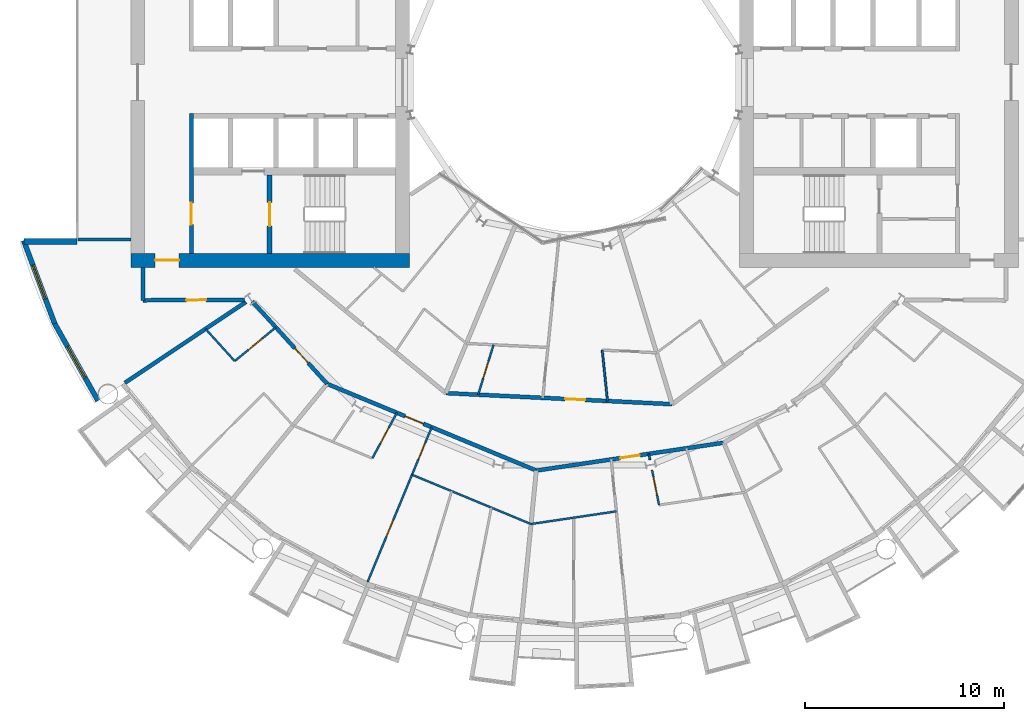
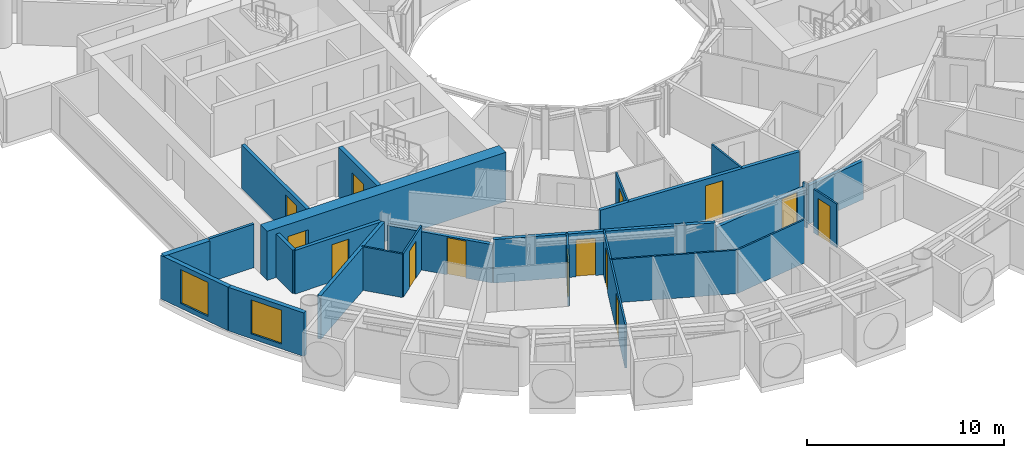
# One storey, part 14 of 26: 24 walls, 14 doors, 2 windows, 16 openings.
"""IFC4 building model written with IfcOpenShell, lengths in metres."""

import ifcopenshell
import ifcopenshell.guid

model = None  # the IFC model being written
_history = None  # IfcOwnerHistory: only IFC2X3 demands one
_inside = {}  # id of a spatial element -> (the spatial element, [elements in it])
_under = {}  # id of a project, library or spatial element -> (it, [spatial elements below it])
_declared = {}  # id of a project -> (the project, [libraries it declares])
_typed = {}  # id of a type object -> (the type object, [elements of that type])
_made_of = {}  # id of a material, layer set ... -> (it, [elements and type objects made of it])


def new_model(schema):
    """Start an empty IFC model of exactly this schema.

    Asked for "IFC4X3", IfcOpenShell would pick the latest addendum, in which some entities
    have other attributes; the version numbers below select the first issue.
    IFC2X3 requires an IfcOwnerHistory on every rooted entity: one is made here for all.
    """
    global model, _history
    if schema == "IFC4X3":
        model = ifcopenshell.file(schema_version=(4, 3, 0, 0))
    else:
        model = ifcopenshell.file(schema=schema)
    _inside.clear()
    _under.clear()
    _declared.clear()
    _typed.clear()
    _made_of.clear()
    _history = None
    if model.schema == "IFC2X3":
        org = make("IfcOrganization", Name="unknown")
        user = make(
            "IfcPersonAndOrganization",
            ThePerson=make("IfcPerson", FamilyName="unknown"),
            TheOrganization=org,
        )
        app = make(
            "IfcApplication",
            ApplicationDeveloper=org,
            Version="unknown",
            ApplicationFullName="unknown",
            ApplicationIdentifier="unknown",
        )
        _history = make(
            "IfcOwnerHistory",
            OwningUser=user,
            OwningApplication=app,
            ChangeAction="ADDED",
            CreationDate=0,
        )
    return model


def make(cls, **values):
    """One entity of the class cls with the attributes given. An attribute that is None is left unset."""
    return model.create_entity(
        cls, **{name: value for name, value in values.items() if value is not None}
    )


def rooted(cls, **values):
    """An entity with a GlobalId (a new one), such as an element, a storey or a relation."""
    return make(cls, GlobalId=ifcopenshell.guid.new(), OwnerHistory=_history, **values)


def si_unit(unit_type, name, prefix=None):
    """IfcSIUnit, for example si_unit("LENGTHUNIT", "METRE", prefix="MILLI")."""
    return make("IfcSIUnit", UnitType=unit_type, Prefix=prefix, Name=name)


def assignment(units):
    """IfcUnitAssignment: the units of a project."""
    return None if units is None else make("IfcUnitAssignment", Units=units)


def point(xyz):
    """IfcCartesianPoint."""
    return None if xyz is None else make("IfcCartesianPoint", Coordinates=xyz)


def direction(xyz):
    """IfcDirection."""
    return None if xyz is None else make("IfcDirection", DirectionRatios=xyz)


def frame(location, z_axis=None, x_axis=None):
    """IfcAxis2Placement3D, a coordinate frame: its origin and axes. An axis left out is left unset."""
    return make(
        "IfcAxis2Placement3D",
        Location=point(location),
        Axis=direction(z_axis),
        RefDirection=direction(x_axis),
    )


def frame_2d(location, x_axis=None):
    """IfcAxis2Placement2D, a coordinate frame in the plane: its origin and x axis."""
    return make(
        "IfcAxis2Placement2D", Location=point(location), RefDirection=direction(x_axis)
    )


def origin():
    """The frame at (0, 0, 0) with its axes left unset."""
    return frame((0.0, 0.0, 0.0))


def place(relative_to, where):
    """IfcLocalPlacement: puts the frame where relative to a parent placement (None: the world)."""
    return make(
        "IfcLocalPlacement", PlacementRelTo=relative_to, RelativePlacement=where
    )


def context(
    kind, dimensions, precision=None, world=None, true_north=None, identifier=None
):
    """IfcGeometricRepresentationContext, for example the 3D "Model" context."""
    return make(
        "IfcGeometricRepresentationContext",
        ContextIdentifier=identifier,
        ContextType=kind,
        CoordinateSpaceDimension=dimensions,
        Precision=precision,
        WorldCoordinateSystem=world,
        TrueNorth=true_north,
    )


def subcontext(parent, identifier, kind, view, scale=None):
    """IfcGeometricRepresentationSubContext, for example "Body" below "Model"."""
    return make(
        "IfcGeometricRepresentationSubContext",
        ContextIdentifier=identifier,
        ContextType=kind,
        ParentContext=parent,
        TargetScale=scale,
        TargetView=view,
    )


def project(units=None, contexts=None):
    """IfcProject with its units and contexts."""
    return rooted(
        "IfcProject",
        Name="project",
        RepresentationContexts=contexts,
        UnitsInContext=assignment(units),
    )


def spatial(cls, under=None, at=None, **own):
    """A site, building, storey or space (cls), placed at a placement, below another one or the project."""
    s = rooted(cls, ObjectPlacement=at, **own)
    if under is not None:
        _under.setdefault(under.id(), (under, []))[1].append(s)
    return s


def profile(cls, at=None, kind="AREA", **sizes):
    """A parametric profile (cls). Its sizes go by their IFC names, for example OverallWidth=200.0."""
    return make(cls, ProfileType=kind, Position=at, **sizes)


def rectangle(**sizes):
    """IfcRectangleProfileDef."""
    return profile("IfcRectangleProfileDef", **sizes)


def extrude(swept, where, along, depth):
    """IfcExtrudedAreaSolid: the profile swept, set in the frame where, extruded along a direction by depth."""
    return make(
        "IfcExtrudedAreaSolid",
        SweptArea=swept,
        Position=where,
        ExtrudedDirection=direction(along),
        Depth=depth,
    )


def shape(context_of_items, identifier, shape_type, items):
    """IfcShapeRepresentation: the items that make up one representation, for example the "Body"."""
    return make(
        "IfcShapeRepresentation",
        ContextOfItems=context_of_items,
        RepresentationIdentifier=identifier,
        RepresentationType=shape_type,
        Items=items,
    )


def material(Name=None, Category=None):
    """IfcMaterial."""
    return make("IfcMaterial", Name=Name, Category=Category)


def layer(
    of_material, thickness, ventilated=None, Name=None, Category=None, Priority=None
):
    """IfcMaterialLayer: one layer of a wall or slab, of a material (None: an air gap)."""
    return make(
        "IfcMaterialLayer",
        Material=of_material,
        LayerThickness=thickness,
        IsVentilated=ventilated,
        Name=Name,
        Category=Category,
        Priority=Priority,
    )


def layer_set(layers, Name=None):
    """IfcMaterialLayerSet."""
    return make("IfcMaterialLayerSet", MaterialLayers=layers, LayerSetName=Name)


def made_of(thing, what):
    """Note that an element or type object is made of a material, layer set ...; save() writes the relation."""
    if what is not None:
        _made_of.setdefault(what.id(), (what, []))[1].append(thing)
    return thing


def type_object(cls, material=None, **own):
    """A type object (cls), such as IfcWallType, which elements share."""
    return made_of(rooted(cls, **own), material)


def element(
    cls,
    number,
    at=None,
    inside=None,
    cuts=None,
    type_object=None,
    material=None,
    context=None,
    identifier="Body",
    shape_type=None,
    held_by="IfcProductDefinitionShape",
    body=None,
    shapes=None,
    **own,
):
    """One element of the class cls, such as IfcWall. Its Tag is "e" and its number.

    at: its placement. inside: the storey or other place that contains it. cuts: it is an
    opening in that element (IfcRelVoidsElement). A single representation is given by context,
    identifier, shape_type and body (its items); several are given by shapes. held_by: the class
    of the entity that holds the representations. save() writes the other relations.
    """
    e = rooted(cls, Tag="e%d" % number, ObjectPlacement=at, **own)
    if body is not None:
        shapes = [shape(context, identifier, shape_type, body)]
    if shapes is not None:
        e.Representation = make(held_by, Representations=shapes)
    if inside is not None:
        _inside.setdefault(inside.id(), (inside, []))[1].append(e)
    if cuts is not None:
        rooted(
            "IfcRelVoidsElement", RelatingBuildingElement=cuts, RelatedOpeningElement=e
        )
    if type_object is not None:
        _typed.setdefault(type_object.id(), (type_object, []))[1].append(e)
    return made_of(e, material)


def fill(opening, filler):
    """IfcRelFillsElement: the door or window that sits in an opening."""
    return rooted(
        "IfcRelFillsElement",
        RelatingOpeningElement=opening,
        RelatedBuildingElement=filler,
    )


def aggregate(whole, parts):
    """IfcRelAggregates: a whole, such as a stair, and the parts it consists of."""
    return rooted("IfcRelAggregates", RelatingObject=whole, RelatedObjects=parts)


def save(model, path):
    """Write the relations noted so far, then the file.

    IfcRelAggregates (storeys below a building ...), IfcRelContainedInSpatialStructure (elements
    in a storey), IfcRelDefinesByType, IfcRelAssociatesMaterial and IfcRelDeclares: one each for
    every whole, place, type object, material and project.
    """
    for whole, parts in _under.values():
        aggregate(whole, parts)
    for where, things in _inside.values():
        rooted(
            "IfcRelContainedInSpatialStructure",
            RelatedElements=things,
            RelatingStructure=where,
        )
    for kind, things in _typed.values():
        rooted("IfcRelDefinesByType", RelatedObjects=things, RelatingType=kind)
    for what, things in _made_of.values():
        rooted("IfcRelAssociatesMaterial", RelatedObjects=things, RelatingMaterial=what)
    for by, libraries in _declared.values():
        rooted("IfcRelDeclares", RelatingContext=by, RelatedDefinitions=libraries)
    model.write(path)


model = new_model("IFC4")

# Units and contexts
model_context = context("Model", 3, precision=1e-05, world=origin(), true_north=direction((0.0, 1.0)))
body_context = subcontext(model_context, "Body", "Model", "MODEL_VIEW")
ifc_project = project(units=[si_unit("LENGTHUNIT", "METRE"), si_unit("AREAUNIT", "SQUARE_METRE"), si_unit("VOLUMEUNIT", "CUBIC_METRE"), si_unit("PLANEANGLEUNIT", "RADIAN"), si_unit("MASSUNIT", "GRAM", prefix="KILO")], contexts=[model_context])

# Site, building, storey
site_placement = place(None, origin())
site = spatial("IfcSite", under=ifc_project, at=site_placement, CompositionType="ELEMENT")
building_placement = place(site_placement, origin())
building = spatial("IfcBuilding", under=site, at=building_placement, Name="Maasbend Ring Residences", CompositionType="ELEMENT")
storey_placement = place(building_placement, frame((0.0, 0.0, 78.85009765625)))
storey = spatial("IfcBuildingStorey", under=building, at=storey_placement, Name="L22", CompositionType="ELEMENT", Elevation=78.85009765625)

# Wall, opening, door
ifc_material_1 = material(Name="Concrete C70/85", Category="concrete")
ifc_layer_1 = layer(ifc_material_1, 0.25)
ifc_layer_set_1 = layer_set([ifc_layer_1], Name="Concrete C70/85")
wall_type_1 = type_object("IfcWallType", Name="CORE WALL 250 C70/85", PredefinedType="SHEAR", material=ifc_layer_set_1)
wall_1_placement = place(storey_placement, frame((-15.324951171875, -4.64990234375, 0.0), z_axis=(0.0, 0.0, 1.0), x_axis=(0.0, -1.0, 0.0)))
wall_1 = element("IfcWall", 1, at=wall_1_placement, inside=storey, type_object=wall_type_1, Name="L22 core W wall STEN", PredefinedType="SHEAR", context=body_context, shape_type="SweptSolid", body=[
    extrude(rectangle(XDim=3.9501953125, YDim=0.25, at=frame_2d((1.97509765625, 0.0))), origin(), (0.0, 0.0, 1.0), 3.0498046875),
])
opening_1_placement = place(wall_1_placement, frame((1.375, 0.0, 0.0)))
opening_1 = element("IfcOpeningElement", 2, at=opening_1_placement, cuts=wall_1, Name="Opening D-W2209", PredefinedType="OPENING", context=body_context, shape_type="SweptSolid", body=[
    extrude(rectangle(XDim=1.199951171875, YDim=2.300048828125, at=frame_2d((0.60009765625, 1.14990234375))), frame((0.0, 0.135009765625, 0.0), z_axis=(0.0, -1.0, 0.0), x_axis=(1.0, 0.0, 0.0)), (0.0, 0.0, 1.0), 0.27001953125),
])
ifc_material_2 = material(Name="Steel, powder coated", Category="steel")
door_type_1 = type_object("IfcDoorType", Name="STAIR DOOR 1200 X 2300 FD60", OperationType="NOTDEFINED", PredefinedType="DOOR", material=ifc_material_2)
door_1_placement = place(opening_1_placement, origin())
door_1 = element("IfcDoor", 3, at=door_1_placement, inside=storey, type_object=door_type_1, Name="Stair door ST-W L22", OperationType="SINGLE_SWING_LEFT", OverallHeight=2.300048828125, OverallWidth=1.199951171875, PredefinedType="DOOR", context=body_context, shape_type="SweptSolid", body=[
    extrude(rectangle(XDim=1.199951171875, YDim=2.300048828125, at=frame_2d((0.60009765625, 1.14990234375))), frame((0.0, 0.02490234375, 0.0), z_axis=(0.0, -1.0, 0.0), x_axis=(1.0, 0.0, 0.0)), (0.0, 0.0, 1.0), 0.050048828125),
])
fill(opening_1, door_1)

ifc_material_3 = material(Name="Concrete C70/85", Category="concrete")
ifc_layer_2 = layer(ifc_material_3, 0.699951171875)
ifc_layer_set_2 = layer_set([ifc_layer_2], Name="Concrete C70/85")
wall_type_2 = type_object("IfcWallType", Name="CORE WALL 700 C70/85", PredefinedType="SHEAR", material=ifc_layer_set_2)
wall_2_placement = place(storey_placement, frame((-22.300048828125, -8.949951171875, 0.0), z_axis=(0.0, 0.0, 1.0), x_axis=(1.0, 0.0, 0.0)))
wall_2 = element("IfcWall", 4, at=wall_2_placement, inside=storey, type_object=wall_type_2, Name="L22 core W wall PN", PredefinedType="SHEAR", context=body_context, shape_type="SweptSolid", body=[
    extrude(rectangle(XDim=14.0, YDim=0.699951171875, at=frame_2d((7.0, 0.0))), origin(), (0.0, 0.0, 1.0), 3.0498046875),
])
opening_2_placement = place(wall_2_placement, frame((1.22509765625, 0.0, 0.0)))
opening_2 = element("IfcOpeningElement", 5, at=opening_2_placement, cuts=wall_2, Name="Opening D-W2213", PredefinedType="OPENING", context=body_context, shape_type="SweptSolid", body=[
    extrude(rectangle(XDim=1.199951171875, YDim=2.300048828125, at=frame_2d((0.60009765625, 1.14990234375))), frame((0.0, 0.35986328125, 0.0), z_axis=(0.0, -1.0, 0.0), x_axis=(1.0, 0.0, 0.0)), (0.0, 0.0, 1.0), 0.719970703125),
])
ifc_material_4 = material(Name="Steel, powder coated", Category="steel")
door_type_2 = type_object("IfcDoorType", Name="CORRIDOR DOOR 1200 X 2300 FD30S", OperationType="NOTDEFINED", PredefinedType="DOOR", material=ifc_material_4)
door_2_placement = place(opening_2_placement, origin())
door_2 = element("IfcDoor", 6, at=door_2_placement, inside=storey, type_object=door_type_2, Name="Corridor door L22", OperationType="SINGLE_SWING_RIGHT", OverallHeight=2.300048828125, OverallWidth=1.199951171875, PredefinedType="DOOR", context=body_context, shape_type="SweptSolid", body=[
    extrude(rectangle(XDim=1.199951171875, YDim=2.300048828125, at=frame_2d((0.60009765625, 1.14990234375))), frame((0.0, 0.02490234375, 0.0), z_axis=(0.0, -1.0, 0.0), x_axis=(1.0, 0.0, 0.0)), (0.0, 0.0, 1.0), 0.050048828125),
])
fill(opening_2, door_2)

ifc_material_5 = material(Name="Concrete C30/37", Category="concrete")
ifc_layer_3 = layer(ifc_material_5, 0.199951171875)
ifc_layer_set_3 = layer_set([ifc_layer_3], Name="Concrete C30/37")
wall_type_3 = type_object("IfcWallType", Name="CORRIDOR WALL 200 CONCRETE", PredefinedType="PARTITIONING", material=ifc_layer_set_3)
wall_3_placement = place(storey_placement, frame((-16.193115234375, -11.00390625, 0.0), z_axis=(0.0, 0.0, 1.0), x_axis=(0.671601747072, -0.740912338492, 0.0)))
wall_3 = element("IfcWall", 7, at=wall_3_placement, inside=storey, type_object=wall_type_3, Name="U-L22-w013", PredefinedType="PARTITIONING", context=body_context, shape_type="SweptSolid", body=[
    extrude(rectangle(XDim=5.59716796875, YDim=0.199951171875, at=frame_2d((2.798583984375, 0.0))), origin(), (0.0, 0.0, 1.0), 2.3798828125),
])
opening_3_placement = place(wall_3_placement, frame((3.179931640625, 0.0, 0.0)))
opening_3 = element("IfcOpeningElement", 8, at=opening_3_placement, cuts=wall_3, Name="Opening D-2233", PredefinedType="OPENING", context=body_context, shape_type="SweptSolid", body=[
    extrude(rectangle(XDim=1.0, YDim=2.300048828125, at=frame_2d((0.5, 1.14990234375))), frame((0.0, 0.10986328125, 0.0), z_axis=(0.0, -1.0, 0.0), x_axis=(1.0, 0.0, 0.0)), (0.0, 0.0, 1.0), 0.219970703125),
])
ifc_material_6 = material(Name="Timber, fire-rated, painted", Category="wood")
door_type_3 = type_object("IfcDoorType", Name="FLAT ENTRANCE DOOR 1000 X 2300 FIRE-RATED", OperationType="NOTDEFINED", PredefinedType="DOOR", material=ifc_material_6)
door_3_placement = place(opening_3_placement, origin())
door_3 = element("IfcDoor", 9, at=door_3_placement, inside=storey, type_object=door_type_3, Name="D-2233", OperationType="SINGLE_SWING_RIGHT", OverallHeight=2.300048828125, OverallWidth=1.0, PredefinedType="DOOR", context=body_context, shape_type="SweptSolid", body=[
    extrude(rectangle(XDim=1.0, YDim=2.300048828125, at=frame_2d((0.5, 1.14990234375))), frame((0.0, 0.02490234375, 0.0), z_axis=(0.0, -1.0, 0.0), x_axis=(1.0, 0.0, 0.0)), (0.0, 0.0, 1.0), 0.050048828125),
])
fill(opening_3, door_3)

wall_4_placement = place(storey_placement, frame((-1.91796875, -19.507080078125, 0.0), z_axis=(0.0, 0.0, 1.0), x_axis=(0.989144916871, 0.146943300045, 0.0)))
wall_4 = element("IfcWall", 10, at=wall_4_placement, inside=storey, type_object=wall_type_3, Name="U-L22-w017", PredefinedType="PARTITIONING", context=body_context, shape_type="SweptSolid", body=[
    extrude(rectangle(XDim=9.528564453125, YDim=0.199951171875, at=frame_2d((4.76416015625, 0.0))), origin(), (0.0, 0.0, 1.0), 2.3798828125),
])
opening_4_placement = place(wall_4_placement, frame((4.260986328125, 0.0, 0.0)))
opening_4 = element("IfcOpeningElement", 11, at=opening_4_placement, cuts=wall_4, Name="Opening D-2243", PredefinedType="OPENING", context=body_context, shape_type="SweptSolid", body=[
    extrude(rectangle(XDim=1.0, YDim=2.300048828125, at=frame_2d((0.5, 1.14990234375))), frame((0.0, 0.10986328125, 0.0), z_axis=(0.0, -1.0, 0.0), x_axis=(1.0, 0.0, 0.0)), (0.0, 0.0, 1.0), 0.219970703125),
])
door_4_placement = place(opening_4_placement, origin())
door_4 = element("IfcDoor", 12, at=door_4_placement, inside=storey, type_object=door_type_3, Name="D-2243", OperationType="SINGLE_SWING_LEFT", OverallHeight=2.300048828125, OverallWidth=1.0, PredefinedType="DOOR", context=body_context, shape_type="SweptSolid", body=[
    extrude(rectangle(XDim=1.0, YDim=2.300048828125, at=frame_2d((0.5, 1.14990234375))), frame((0.0, 0.02490234375, 0.0), z_axis=(0.0, -1.0, 0.0), x_axis=(1.0, 0.0, 0.0)), (0.0, 0.0, 1.0), 0.050048828125),
])
fill(opening_4, door_4)

wall_5_placement = place(storey_placement, frame((-12.43603515625, -15.14990234375, 0.0), z_axis=(0.0, 0.0, 1.0), x_axis=(0.923858130651, -0.38273509694, 0.0)))
wall_5 = element("IfcWall", 13, at=wall_5_placement, inside=storey, type_object=wall_type_3, Name="U-L22-w018", PredefinedType="PARTITIONING", context=body_context, shape_type="SweptSolid", body=[
    extrude(rectangle(XDim=11.3818359375, YDim=0.199951171875, at=frame_2d((5.69091796875, 0.0))), origin(), (0.0, 0.0, 1.0), 2.699951171875),
])
opening_5_placement = place(wall_5_placement, frame((4.239013671875, 0.0, 0.0)))
opening_5 = element("IfcOpeningElement", 14, at=opening_5_placement, cuts=wall_5, Name="Opening D-2236", PredefinedType="OPENING", context=body_context, shape_type="SweptSolid", body=[
    extrude(rectangle(XDim=1.0, YDim=2.300048828125, at=frame_2d((0.5, 1.14990234375))), frame((0.0, 0.10986328125, 0.0), z_axis=(0.0, -1.0, 0.0), x_axis=(1.0, 0.0, 0.0)), (0.0, 0.0, 1.0), 0.219970703125),
])
door_5_placement = place(opening_5_placement, origin())
door_5 = element("IfcDoor", 15, at=door_5_placement, inside=storey, type_object=door_type_3, Name="D-2236", OperationType="SINGLE_SWING_LEFT", OverallHeight=2.300048828125, OverallWidth=1.0, PredefinedType="DOOR", context=body_context, shape_type="SweptSolid", body=[
    extrude(rectangle(XDim=1.0, YDim=2.300048828125, at=frame_2d((0.5, 1.14990234375))), frame((0.0, 0.02490234375, 0.0), z_axis=(0.0, -1.0, 0.0), x_axis=(1.0, 0.0, 0.0)), (0.0, 0.0, 1.0), 0.050048828125),
])
fill(opening_5, door_5)

wall_6_placement = place(storey_placement, frame((-6.464111328125, -15.615966796875, 0.0), z_axis=(0.0, 0.0, 1.0), x_axis=(0.998805876564, -0.048855101495, 0.0)))
wall_6 = element("IfcWall", 16, at=wall_6_placement, inside=storey, type_object=wall_type_3, Name="U-L22-w020", PredefinedType="PARTITIONING", context=body_context, shape_type="SweptSolid", body=[
    extrude(rectangle(XDim=11.3837890625, YDim=0.199951171875, at=frame_2d((5.69189453125, 0.0))), origin(), (0.0, 0.0, 1.0), 2.699951171875),
])
opening_6_placement = place(wall_6_placement, frame((6.00390625, 0.0, 0.0)))
opening_6 = element("IfcOpeningElement", 17, at=opening_6_placement, cuts=wall_6, Name="Opening D-2259", PredefinedType="OPENING", context=body_context, shape_type="SweptSolid", body=[
    extrude(rectangle(XDim=1.0, YDim=2.300048828125, at=frame_2d((0.5, 1.14990234375))), frame((0.0, 0.10986328125, 0.0), z_axis=(0.0, -1.0, 0.0), x_axis=(1.0, 0.0, 0.0)), (0.0, 0.0, 1.0), 0.219970703125),
])
door_6_placement = place(opening_6_placement, origin())
door_6 = element("IfcDoor", 18, at=door_6_placement, inside=storey, type_object=door_type_3, Name="D-2259", OperationType="SINGLE_SWING_RIGHT", OverallHeight=2.300048828125, OverallWidth=1.0, PredefinedType="DOOR", context=body_context, shape_type="SweptSolid", body=[
    extrude(rectangle(XDim=1.0, YDim=2.300048828125, at=frame_2d((0.5, 1.14990234375))), frame((0.0, 0.02490234375, 0.0), z_axis=(0.0, -1.0, 0.0), x_axis=(1.0, 0.0, 0.0)), (0.0, 0.0, 1.0), 0.050048828125),
])
fill(opening_6, door_6)

wall_7_placement = place(storey_placement, frame((-21.675048828125, -10.949951171875, 0.0), z_axis=(0.0, 0.0, 1.0), x_axis=(0.999987054722, 0.005088259783, 0.0)))
wall_7 = element("IfcWall", 19, at=wall_7_placement, inside=storey, type_object=wall_type_3, Name="U-L22-w028", PredefinedType="PARTITIONING", context=body_context, shape_type="SweptSolid", body=[
    extrude(rectangle(XDim=5.0859375, YDim=0.199951171875, at=frame_2d((2.54296875, 0.0))), origin(), (0.0, 0.0, 1.0), 2.699951171875),
])
opening_7_placement = place(wall_7_placement, frame((2.1630859375, 0.0, 0.0)))
opening_7 = element("IfcOpeningElement", 20, at=opening_7_placement, cuts=wall_7, Name="Opening D-2268", PredefinedType="OPENING", context=body_context, shape_type="SweptSolid", body=[
    extrude(rectangle(XDim=1.0, YDim=2.300048828125, at=frame_2d((0.5, 1.14990234375))), frame((0.0, 0.10986328125, 0.0), z_axis=(0.0, -1.0, 0.0), x_axis=(1.0, 0.0, 0.0)), (0.0, 0.0, 1.0), 0.219970703125),
])
ifc_material_7 = material(Name="Timber, painted", Category="wood")
door_type_4 = type_object("IfcDoorType", Name="ROOM DOOR 1000 X 2300", OperationType="NOTDEFINED", PredefinedType="DOOR", material=ifc_material_7)
door_7_placement = place(opening_7_placement, origin())
door_7 = element("IfcDoor", 21, at=door_7_placement, inside=storey, type_object=door_type_4, Name="D-2268", OperationType="SINGLE_SWING_RIGHT", OverallHeight=2.300048828125, OverallWidth=1.0, PredefinedType="DOOR", context=body_context, shape_type="SweptSolid", body=[
    extrude(rectangle(XDim=1.0, YDim=2.300048828125, at=frame_2d((0.5, 1.14990234375))), frame((0.0, 0.02490234375, 0.0), z_axis=(0.0, -1.0, 0.0), x_axis=(1.0, 0.0, 0.0)), (0.0, 0.0, 1.0), 0.050048828125),
])
fill(opening_7, door_7)

# Wall
wall_8_placement = place(storey_placement, frame((-21.675048828125, -10.949951171875, 0.0), z_axis=(0.0, 0.0, 1.0), x_axis=(0.0, 1.0, 0.0)))
element("IfcWall", 22, at=wall_8_placement, inside=storey, type_object=wall_type_3, Name="U-L22-w115", PredefinedType="PARTITIONING", context=body_context, shape_type="SweptSolid", body=[
    extrude(rectangle(XDim=1.64990234375, YDim=0.199951171875, at=frame_2d((0.824951171875, 0.0))), origin(), (0.0, 0.0, 1.0), 2.699951171875),
])

# Wall, opening, window
ifc_material_8 = material(Name="Aluminium clad insulated panel", Category="aluminium")
ifc_layer_4 = layer(ifc_material_8, 0.25)
ifc_layer_set_4 = layer_set([ifc_layer_4], Name="EW-HORN")
wall_type_4 = type_object("IfcWallType", Name="EW-HORN", PredefinedType="SOLIDWALL", material=ifc_layer_set_4)
wall_9_placement = place(storey_placement, frame((-27.681884765625, -7.945068359375, 0.0), z_axis=(0.0, 0.0, 1.0), x_axis=(0.349247811493, -0.937030397675, 0.0)))
wall_9 = element("IfcWall", 23, at=wall_9_placement, inside=storey, type_object=wall_type_4, Name="Horn wall 3.1", PredefinedType="SOLIDWALL", context=body_context, shape_type="SweptSolid", body=[
    extrude(rectangle(XDim=4.4521484375, YDim=0.25, at=frame_2d((2.22607421875, 0.0))), origin(), (0.0, 0.0, 1.0), 2.699951171875),
])
opening_8_placement = place(wall_9_placement, frame((1.32666015625, 0.0, 0.300048828125)))
opening_8 = element("IfcOpeningElement", 24, at=opening_8_placement, cuts=wall_9, Name="Opening W-BX", PredefinedType="OPENING", context=body_context, shape_type="SweptSolid", body=[
    extrude(rectangle(XDim=1.800048828125, YDim=2.10009765625, at=frame_2d((0.89990234375, 1.050048828125))), frame((0.0, 0.135009765625, 0.0), z_axis=(0.0, -1.0, 0.0), x_axis=(1.0, 0.0, 0.0)), (0.0, 0.0, 1.0), 0.27001953125),
])
ifc_material_9 = material(Name="Aluminium and clear glass", Category="aluminium")
window_type = type_object("IfcWindowType", Name="W-BX", PartitioningType="DOUBLE_PANEL_VERTICAL", PredefinedType="WINDOW", material=ifc_material_9)
window_1_placement = place(opening_8_placement, origin())
window_1 = element("IfcWindow", 25, at=window_1_placement, inside=storey, type_object=window_type, Name="Horn window 3.1", OverallHeight=2.10009765625, OverallWidth=1.800048828125, PartitioningType="SINGLE_PANEL", PredefinedType="WINDOW", context=body_context, shape_type="SweptSolid", body=[
    extrude(rectangle(XDim=1.800048828125, YDim=2.10009765625, at=frame_2d((0.89990234375, 1.050048828125))), frame((0.0, 0.030029296875, 0.0), z_axis=(0.0, -1.0, 0.0), x_axis=(1.0, 0.0, 0.0)), (0.0, 0.0, 1.0), 0.06005859375),
])
fill(opening_8, window_1)

wall_10_placement = place(storey_placement, frame((-26.126953125, -12.116943359375, 0.0), z_axis=(0.0, 0.0, 1.0), x_axis=(0.489696356642, -0.871893042919, 0.0)))
wall_10 = element("IfcWall", 26, at=wall_10_placement, inside=storey, type_object=wall_type_4, Name="Horn wall 3.2", PredefinedType="SOLIDWALL", context=body_context, shape_type="SweptSolid", body=[
    extrude(rectangle(XDim=4.45361328125, YDim=0.25, at=frame_2d((2.226806640625, 0.0))), origin(), (0.0, 0.0, 1.0), 2.699951171875),
])
opening_9_placement = place(wall_10_placement, frame((1.32666015625, 0.0, 0.300048828125)))
opening_9 = element("IfcOpeningElement", 27, at=opening_9_placement, cuts=wall_10, Name="Opening W-BX", PredefinedType="OPENING", context=body_context, shape_type="SweptSolid", body=[
    extrude(rectangle(XDim=1.800048828125, YDim=2.10009765625, at=frame_2d((0.89990234375, 1.050048828125))), frame((0.0, 0.135009765625, 0.0), z_axis=(0.0, -1.0, 0.0), x_axis=(1.0, 0.0, 0.0)), (0.0, 0.0, 1.0), 0.27001953125),
])
window_2_placement = place(opening_9_placement, origin())
window_2 = element("IfcWindow", 28, at=window_2_placement, inside=storey, type_object=window_type, Name="Horn window 3.2", OverallHeight=2.10009765625, OverallWidth=1.800048828125, PartitioningType="SINGLE_PANEL", PredefinedType="WINDOW", context=body_context, shape_type="SweptSolid", body=[
    extrude(rectangle(XDim=1.800048828125, YDim=2.10009765625, at=frame_2d((0.89990234375, 1.050048828125))), frame((0.0, 0.030029296875, 0.0), z_axis=(0.0, -1.0, 0.0), x_axis=(1.0, 0.0, 0.0)), (0.0, 0.0, 1.0), 0.06005859375),
])
fill(opening_9, window_2)

# Walls
ifc_material_10 = material(Name="Aluminium clad insulated panel", Category="aluminium")
ifc_layer_5 = layer(ifc_material_10, 0.300048828125)
ifc_layer_set_5 = layer_set([ifc_layer_5], Name="EW-RET")
wall_type_5 = type_object("IfcWallType", Name="EW-RET", PredefinedType="SOLIDWALL", material=ifc_layer_set_5)
wall_11_placement = place(storey_placement, frame((-25.0, -8.0, 0.0), z_axis=(0.0, 0.0, 1.0), x_axis=(-1.0, 0.0, 0.0)))
element("IfcWall", 29, at=wall_11_placement, inside=storey, type_object=wall_type_5, Name="Notch return wall west south", PredefinedType="SOLIDWALL", context=body_context, shape_type="SweptSolid", body=[
    extrude(rectangle(XDim=2.6669921875, YDim=0.300048828125, at=frame_2d((1.33349609375, 0.0))), origin(), (0.0, 0.0, 1.0), 2.699951171875),
])
ifc_material_11 = material(Name="Gypsum board on steel studs", Category="steel")
ifc_layer_6 = layer(ifc_material_11, 0.10009765625)
ifc_layer_set_6 = layer_set([ifc_layer_6], Name="PARTITION 100 GYPSUM")
wall_type_6 = type_object("IfcWallType", Name="PARTITION 100 GYPSUM", PredefinedType="PARTITIONING", material=ifc_layer_set_6)
wall_12_placement = place(storey_placement, frame((-18.5419921875, -12.388916015625, 0.0), z_axis=(0.0, 0.0, 1.0), x_axis=(0.671396556615, -0.741098282123, 0.0)))
element("IfcWall", 30, at=wall_12_placement, inside=storey, type_object=wall_type_6, Name="U-L22-w001", PredefinedType="PARTITIONING", context=body_context, shape_type="SweptSolid", body=[
    extrude(rectangle(XDim=2.18212890625, YDim=0.10009765625, at=frame_2d((1.091064453125, 0.0))), origin(), (0.0, 0.0, 1.0), 2.699951171875),
])
wall_13_placement = place(storey_placement, frame((-2.18603515625, -22.193115234375, 0.0), z_axis=(0.0, 0.0, 1.0), x_axis=(0.989171386505, 0.146765009863, 0.0)))
element("IfcWall", 31, at=wall_13_placement, inside=storey, type_object=wall_type_6, Name="U-L22-w009", PredefinedType="PARTITIONING", context=body_context, shape_type="SweptSolid", body=[
    extrude(rectangle(XDim=4.3349609375, YDim=0.10009765625, at=frame_2d((2.16748046875, 0.0))), origin(), (0.0, 0.0, 1.0), 2.699951171875),
])
wall_14_placement = place(storey_placement, frame((-8.16796875, -19.716064453125, 0.0), z_axis=(0.0, 0.0, 1.0), x_axis=(0.923791567638, -0.382895729358, 0.0)))
element("IfcWall", 32, at=wall_14_placement, inside=storey, type_object=wall_type_6, Name="U-L22-w012", PredefinedType="PARTITIONING", context=body_context, shape_type="SweptSolid", body=[
    extrude(rectangle(XDim=6.474365234375, YDim=0.10009765625, at=frame_2d((3.2373046875, 0.0))), origin(), (0.0, 0.0, 1.0), 2.699951171875),
])

# Wall, opening, door
wall_15_placement = place(storey_placement, frame((-17.076904296875, -14.006103515625, 0.0), z_axis=(0.0, 0.0, 1.0), x_axis=(0.77319617123, 0.634166918717, 0.0)))
wall_15 = element("IfcWall", 33, at=wall_15_placement, inside=storey, type_object=wall_type_6, Name="U-L22-w043", PredefinedType="PARTITIONING", context=body_context, shape_type="SweptSolid", body=[
    extrude(rectangle(XDim=2.674560546875, YDim=0.10009765625, at=frame_2d((1.33740234375, 0.0))), origin(), (0.0, 0.0, 1.0), 2.699951171875),
])
opening_10_placement = place(wall_15_placement, frame((0.886962890625, 0.0, 0.0)))
opening_10 = element("IfcOpeningElement", 34, at=opening_10_placement, cuts=wall_15, Name="Opening D-2234", PredefinedType="OPENING", context=body_context, shape_type="SweptSolid", body=[
    extrude(rectangle(XDim=0.89990234375, YDim=2.300048828125, at=frame_2d((0.449951171875, 1.14990234375))), frame((0.0, 0.06005859375, 0.0), z_axis=(0.0, -1.0, 0.0), x_axis=(1.0, 0.0, 0.0)), (0.0, 0.0, 1.0), 0.1201171875),
])
ifc_material_12 = material(Name="Timber, painted", Category="wood")
door_type_5 = type_object("IfcDoorType", Name="INTERNAL DOOR 900 X 2300", OperationType="NOTDEFINED", PredefinedType="DOOR", material=ifc_material_12)
door_8_placement = place(opening_10_placement, origin())
door_8 = element("IfcDoor", 35, at=door_8_placement, inside=storey, type_object=door_type_5, Name="D-2234", OperationType="SINGLE_SWING_LEFT", OverallHeight=2.300048828125, OverallWidth=0.89990234375, PredefinedType="DOOR", context=body_context, shape_type="SweptSolid", body=[
    extrude(rectangle(XDim=0.89990234375, YDim=2.300048828125, at=frame_2d((0.449951171875, 1.14990234375))), frame((0.0, 0.02490234375, 0.0), z_axis=(0.0, -1.0, 0.0), x_axis=(1.0, 0.0, 0.0)), (0.0, 0.0, 1.0), 0.050048828125),
])
fill(opening_10, door_8)

# Wall, openings, doors
wall_16_placement = place(storey_placement, frame((-10.39892578125, -25.10595703125, 0.0), z_axis=(0.0, 0.0, 1.0), x_axis=(0.382697543868, 0.923873687209, 0.0)))
wall_16 = element("IfcWall", 36, at=wall_16_placement, inside=storey, type_object=wall_type_6, Name="U-L22-w048", PredefinedType="PARTITIONING", context=body_context, shape_type="SweptSolid", body=[
    extrude(rectangle(XDim=8.4189453125, YDim=0.10009765625, at=frame_2d((4.20947265625, 0.0))), origin(), (0.0, 0.0, 1.0), 2.699951171875),
])
opening_11_placement = place(wall_16_placement, frame((6.677978515625, 0.0, 0.0)))
opening_11 = element("IfcOpeningElement", 37, at=opening_11_placement, cuts=wall_16, Name="Opening D-2239", PredefinedType="OPENING", context=body_context, shape_type="SweptSolid", body=[
    extrude(rectangle(XDim=0.89990234375, YDim=2.300048828125, at=frame_2d((0.449951171875, 1.14990234375))), frame((0.0, 0.06005859375, 0.0), z_axis=(0.0, -1.0, 0.0), x_axis=(1.0, 0.0, 0.0)), (0.0, 0.0, 1.0), 0.1201171875),
])
opening_12_placement = place(wall_16_placement, frame((2.468017578125, 0.0, 0.0)))
opening_12 = element("IfcOpeningElement", 38, at=opening_12_placement, cuts=wall_16, Name="Opening D-2240", PredefinedType="OPENING", context=body_context, shape_type="SweptSolid", body=[
    extrude(rectangle(XDim=0.89990234375, YDim=2.300048828125, at=frame_2d((0.449951171875, 1.14990234375))), frame((0.0, 0.06005859375, 0.0), z_axis=(0.0, -1.0, 0.0), x_axis=(1.0, 0.0, 0.0)), (0.0, 0.0, 1.0), 0.1201171875),
])
door_9_placement = place(opening_11_placement, origin())
door_9 = element("IfcDoor", 39, at=door_9_placement, inside=storey, type_object=door_type_5, Name="D-2239", OperationType="SINGLE_SWING_RIGHT", OverallHeight=2.300048828125, OverallWidth=0.89990234375, PredefinedType="DOOR", context=body_context, shape_type="SweptSolid", body=[
    extrude(rectangle(XDim=0.89990234375, YDim=2.300048828125, at=frame_2d((0.449951171875, 1.14990234375))), frame((0.0, 0.02490234375, 0.0), z_axis=(0.0, -1.0, 0.0), x_axis=(1.0, 0.0, 0.0)), (0.0, 0.0, 1.0), 0.050048828125),
])
fill(opening_11, door_9)
door_10_placement = place(opening_12_placement, origin())
door_10 = element("IfcDoor", 40, at=door_10_placement, inside=storey, type_object=door_type_5, Name="D-2240", OperationType="SINGLE_SWING_LEFT", OverallHeight=2.300048828125, OverallWidth=0.89990234375, PredefinedType="DOOR", context=body_context, shape_type="SweptSolid", body=[
    extrude(rectangle(XDim=0.89990234375, YDim=2.300048828125, at=frame_2d((0.449951171875, 1.14990234375))), frame((0.0, 0.02490234375, 0.0), z_axis=(0.0, -1.0, 0.0), x_axis=(1.0, 0.0, 0.0)), (0.0, 0.0, 1.0), 0.050048828125),
])
fill(opening_12, door_10)

# Wall, opening, door
wall_17_placement = place(storey_placement, frame((-10.159912109375, -18.889892578125, 0.0), z_axis=(0.0, 0.0, 1.0), x_axis=(0.4736792609, 0.880697426925, 0.0)))
wall_17 = element("IfcWall", 41, at=wall_17_placement, inside=storey, type_object=wall_type_6, Name="U-L22-w049", PredefinedType="PARTITIONING", context=body_context, shape_type="SweptSolid", body=[
    extrude(rectangle(XDim=2.5966796875, YDim=0.10009765625, at=frame_2d((1.29833984375, 0.0))), origin(), (0.0, 0.0, 1.0), 2.699951171875),
])
opening_13_placement = place(wall_17_placement, frame((0.847900390625, 0.0, 0.0)))
opening_13 = element("IfcOpeningElement", 42, at=opening_13_placement, cuts=wall_17, Name="Opening D-2238", PredefinedType="OPENING", context=body_context, shape_type="SweptSolid", body=[
    extrude(rectangle(XDim=0.89990234375, YDim=2.300048828125, at=frame_2d((0.449951171875, 1.14990234375))), frame((0.0, 0.06005859375, 0.0), z_axis=(0.0, -1.0, 0.0), x_axis=(1.0, 0.0, 0.0)), (0.0, 0.0, 1.0), 0.1201171875),
])
door_11_placement = place(opening_13_placement, origin())
door_11 = element("IfcDoor", 43, at=door_11_placement, inside=storey, type_object=door_type_5, Name="D-2238", OperationType="SINGLE_SWING_LEFT", OverallHeight=2.300048828125, OverallWidth=0.89990234375, PredefinedType="DOOR", context=body_context, shape_type="SweptSolid", body=[
    extrude(rectangle(XDim=0.89990234375, YDim=2.300048828125, at=frame_2d((0.449951171875, 1.14990234375))), frame((0.0, 0.02490234375, 0.0), z_axis=(0.0, -1.0, 0.0), x_axis=(1.0, 0.0, 0.0)), (0.0, 0.0, 1.0), 0.050048828125),
])
fill(opening_13, door_11)

wall_18_placement = place(storey_placement, frame((-4.843017578125, -15.693115234375, 0.0), z_axis=(0.0, 0.0, 1.0), x_axis=(0.294961884541, 0.955509019669, 0.0)))
wall_18 = element("IfcWall", 44, at=wall_18_placement, inside=storey, type_object=wall_type_6, Name="U-L22-w058", PredefinedType="PARTITIONING", context=body_context, shape_type="SweptSolid", body=[
    extrude(rectangle(XDim=2.623779296875, YDim=0.10009765625, at=frame_2d((1.31201171875, 0.0))), origin(), (0.0, 0.0, 1.0), 2.699951171875),
])
opening_14_placement = place(wall_18_placement, frame((0.862060546875, 0.0, 0.0)))
opening_14 = element("IfcOpeningElement", 45, at=opening_14_placement, cuts=wall_18, Name="Opening D-2262", PredefinedType="OPENING", context=body_context, shape_type="SweptSolid", body=[
    extrude(rectangle(XDim=0.89990234375, YDim=2.300048828125, at=frame_2d((0.449951171875, 1.14990234375))), frame((0.0, 0.06005859375, 0.0), z_axis=(0.0, -1.0, 0.0), x_axis=(1.0, 0.0, 0.0)), (0.0, 0.0, 1.0), 0.1201171875),
])
door_12_placement = place(opening_14_placement, origin())
door_12 = element("IfcDoor", 46, at=door_12_placement, inside=storey, type_object=door_type_5, Name="D-2262", OperationType="SINGLE_SWING_RIGHT", OverallHeight=2.300048828125, OverallWidth=0.89990234375, PredefinedType="DOOR", context=body_context, shape_type="SweptSolid", body=[
    extrude(rectangle(XDim=0.89990234375, YDim=2.300048828125, at=frame_2d((0.449951171875, 1.14990234375))), frame((0.0, 0.02490234375, 0.0), z_axis=(0.0, -1.0, 0.0), x_axis=(1.0, 0.0, 0.0)), (0.0, 0.0, 1.0), 0.050048828125),
])
fill(opening_14, door_12)

# Walls
wall_19_placement = place(storey_placement, frame((1.39208984375, -13.4541015625, 0.0), z_axis=(0.0, 0.0, 1.0), x_axis=(0.102594773028, -0.994723234145, 0.0)))
element("IfcWall", 47, at=wall_19_placement, inside=storey, type_object=wall_type_6, Name="U-L22-w068", PredefinedType="PARTITIONING", context=body_context, shape_type="SweptSolid", body=[
    extrude(rectangle(XDim=2.572509765625, YDim=0.10009765625, at=frame_2d((1.2861328125, 0.0))), origin(), (0.0, 0.0, 1.0), 2.699951171875),
])
wall_20_placement = place(storey_placement, frame((3.73193359375, -18.6669921875, 0.0), z_axis=(0.0, 0.0, 1.0), x_axis=(0.195804928618, -0.980642865639, 0.0)))
element("IfcWall", 48, at=wall_20_placement, inside=storey, type_object=wall_type_6, Name="U-L22-w072", PredefinedType="PARTITIONING", context=body_context, shape_type="SweptSolid", body=[
    extrude(rectangle(XDim=0.3017578125, YDim=0.10009765625, at=frame_2d((0.15087890625, 0.0))), origin(), (0.0, 0.0, 1.0), 2.699951171875),
])

# Wall, opening, door
wall_21_placement = place(storey_placement, frame((3.89404296875, -19.47705078125, 0.0), z_axis=(0.0, 0.0, 1.0), x_axis=(0.195933221699, -0.980617240637, 0.0)))
wall_21 = element("IfcWall", 49, at=wall_21_placement, inside=storey, type_object=wall_type_6, Name="U-L22-w073", PredefinedType="PARTITIONING", context=body_context, shape_type="SweptSolid", body=[
    extrude(rectangle(XDim=1.796875, YDim=0.10009765625, at=frame_2d((0.8984375, 0.0))), origin(), (0.0, 0.0, 1.0), 2.699951171875),
])
opening_15_placement = place(wall_21_placement, frame((0.3740234375, 0.0, 0.0)))
opening_15 = element("IfcOpeningElement", 50, at=opening_15_placement, cuts=wall_21, Name="Opening D-2245", PredefinedType="OPENING", context=body_context, shape_type="SweptSolid", body=[
    extrude(rectangle(XDim=0.89990234375, YDim=2.300048828125, at=frame_2d((0.449951171875, 1.14990234375))), frame((0.0, 0.06005859375, 0.0), z_axis=(0.0, -1.0, 0.0), x_axis=(1.0, 0.0, 0.0)), (0.0, 0.0, 1.0), 0.1201171875),
])
door_13_placement = place(opening_15_placement, origin())
door_13 = element("IfcDoor", 51, at=door_13_placement, inside=storey, type_object=door_type_5, Name="D-2245", OperationType="SINGLE_SWING_LEFT", OverallHeight=2.300048828125, OverallWidth=0.89990234375, PredefinedType="DOOR", context=body_context, shape_type="SweptSolid", body=[
    extrude(rectangle(XDim=0.89990234375, YDim=2.300048828125, at=frame_2d((0.449951171875, 1.14990234375))), frame((0.0, 0.02490234375, 0.0), z_axis=(0.0, -1.0, 0.0), x_axis=(1.0, 0.0, 0.0)), (0.0, 0.0, 1.0), 0.050048828125),
])
fill(opening_15, door_13)

# Walls
ifc_material_13 = material(Name="Gypsum board on steel studs", Category="steel")
ifc_layer_7 = layer(ifc_material_13, 0.14990234375)
ifc_layer_set_7 = layer_set([ifc_layer_7], Name="PARTITION 150 EI 60")
wall_type_7 = type_object("IfcWallType", Name="PARTITION 150 EI 60", PredefinedType="PARTITIONING", material=ifc_layer_set_7)
wall_22_placement = place(storey_placement, frame((-22.300048828125, -7.89990234375, 0.0), z_axis=(0.0, 0.0, 1.0), x_axis=(-1.0, 0.0, 0.0)))
element("IfcWall", 52, at=wall_22_placement, inside=storey, type_object=wall_type_7, Name="L22 core W wall CITN", PredefinedType="PARTITIONING", context=body_context, shape_type="SweptSolid", body=[
    extrude(rectangle(XDim=2.639892578125, YDim=0.14990234375, at=frame_2d((1.31982421875, 0.0))), origin(), (0.0, 0.0, 1.0), 2.699951171875),
])
ifc_material_14 = material(Name="Concrete C30/37", Category="concrete")
ifc_layer_8 = layer(ifc_material_14, 0.199951171875)
ifc_layer_set_8 = layer_set([ifc_layer_8], Name="Concrete C30/37")
wall_type_8 = type_object("IfcWallType", Name="PARTY WALL 200 CONCRETE", PredefinedType="PARTITIONING", material=ifc_layer_set_8)
wall_23_placement = place(storey_placement, frame((-22.594970703125, -15.096923828125, 0.0), z_axis=(0.0, 0.0, 1.0), x_axis=(0.831505405283, 0.555516661303, 0.0)))
element("IfcWall", 53, at=wall_23_placement, inside=storey, type_object=wall_type_8, Name="U-L22-w037", PredefinedType="PARTITIONING", context=body_context, shape_type="SweptSolid", body=[
    extrude(rectangle(XDim=7.31201171875, YDim=0.199951171875, at=frame_2d((3.656005859375, 0.0))), origin(), (0.0, 0.0, 1.0), 2.699951171875),
])

# Wall, opening, door
ifc_material_15 = material(Name="Concrete C30/37", Category="concrete")
ifc_layer_9 = layer(ifc_material_15, 0.199951171875)
ifc_layer_set_9 = layer_set([ifc_layer_9], Name="Concrete C30/37")
wall_type_9 = type_object("IfcWallType", Name="SHAFT WALL 200 EI 120", PredefinedType="SOLIDWALL", material=ifc_layer_set_9)
wall_24_placement = place(storey_placement, frame((-19.25, -1.574951171875, 0.0), z_axis=(0.0, 0.0, 1.0), x_axis=(0.0, -1.0, 0.0)))
wall_24 = element("IfcWall", 54, at=wall_24_placement, inside=storey, type_object=wall_type_9, Name="L22 core W wall ENDN", PredefinedType="SOLIDWALL", context=body_context, shape_type="SweptSolid", body=[
    extrude(rectangle(XDim=7.025146484375, YDim=0.199951171875, at=frame_2d((3.5126953125, 0.0))), origin(), (0.0, 0.0, 1.0), 2.699951171875),
])
opening_16_placement = place(wall_24_placement, frame((4.47509765625, 0.0, 0.0)))
opening_16 = element("IfcOpeningElement", 55, at=opening_16_placement, cuts=wall_24, Name="Opening D-W2211", PredefinedType="OPENING", context=body_context, shape_type="SweptSolid", body=[
    extrude(rectangle(XDim=1.10009765625, YDim=2.300048828125, at=frame_2d((0.550048828125, 1.14990234375))), frame((0.0, 0.10986328125, 0.0), z_axis=(0.0, -1.0, 0.0), x_axis=(1.0, 0.0, 0.0)), (0.0, 0.0, 1.0), 0.219970703125),
])
ifc_material_16 = material(Name="Steel, powder coated", Category="steel")
door_type_6 = type_object("IfcDoorType", Name="LOBBY DOOR 1100 X 2300 FD60", OperationType="NOTDEFINED", PredefinedType="DOOR", material=ifc_material_16)
door_14_placement = place(opening_16_placement, origin())
door_14 = element("IfcDoor", 56, at=door_14_placement, inside=storey, type_object=door_type_6, Name="Lobby door L22", OperationType="SINGLE_SWING_LEFT", OverallHeight=2.300048828125, OverallWidth=1.10009765625, PredefinedType="DOOR", context=body_context, shape_type="SweptSolid", body=[
    extrude(rectangle(XDim=1.10009765625, YDim=2.300048828125, at=frame_2d((0.550048828125, 1.14990234375))), frame((0.0, 0.02490234375, 0.0), z_axis=(0.0, -1.0, 0.0), x_axis=(1.0, 0.0, 0.0)), (0.0, 0.0, 1.0), 0.050048828125),
])
fill(opening_16, door_14)

save(model, "model.ifc")
